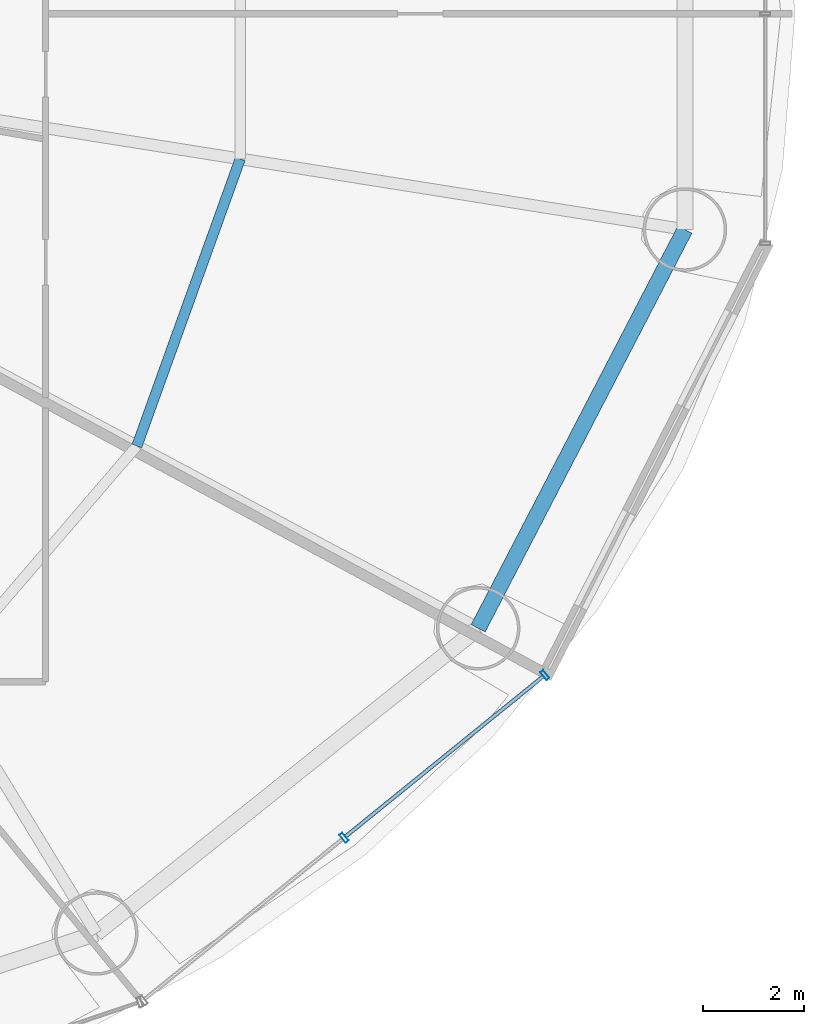
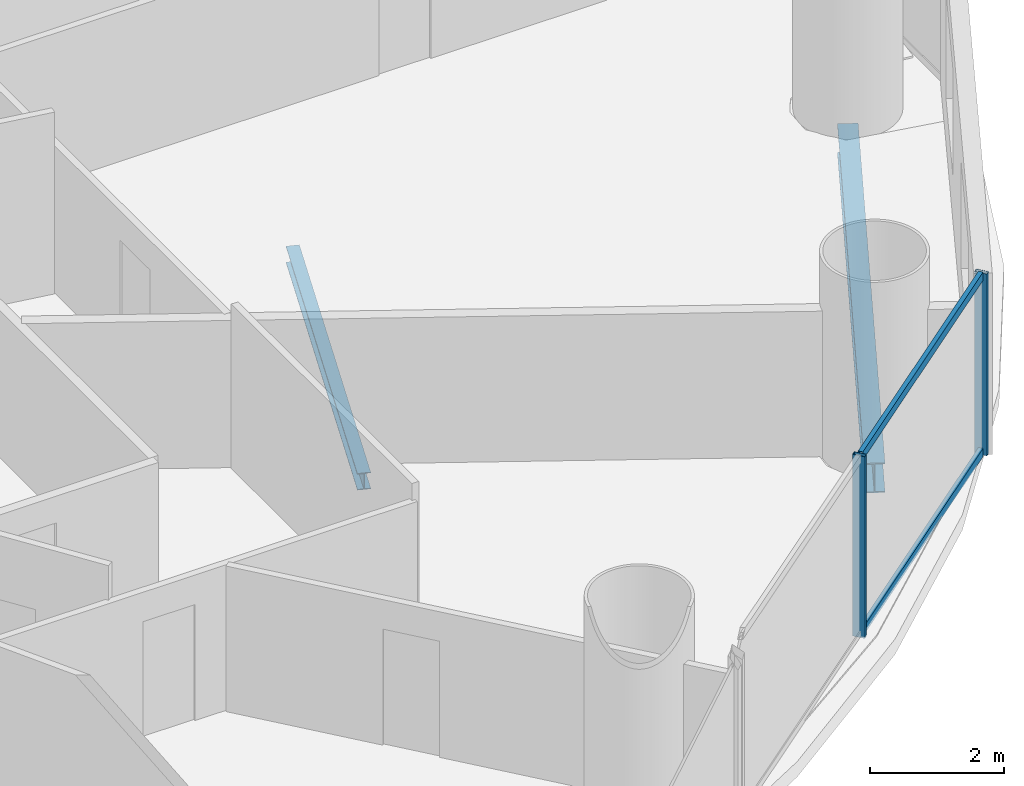
# One storey, part 12 of 29: 4 members, 2 beams, 1 element without a shape of its own.
"""IFC4 building model written with IfcOpenShell, lengths in metres."""

from ifc_helpers import new_model, si_unit, direction, frame, origin, origin_2d, place, context, subcontext, project, spatial, hollow_rectangle, i_section, extrude, source, transform, mapped, material, material_profile, profile_set, type_object, element, aggregate, save


model = new_model("IFC4")

# Units and contexts
model_context = context("Model", 3, precision=1e-05, world=origin(), true_north=direction((-0.2419218956, 0.970295726276)))
body_context = subcontext(model_context, "Body", "Model", "MODEL_VIEW")
ifc_project = project(units=[si_unit("LENGTHUNIT", "METRE"), si_unit("AREAUNIT", "SQUARE_METRE"), si_unit("VOLUMEUNIT", "CUBIC_METRE"), si_unit("PLANEANGLEUNIT", "RADIAN"), si_unit("MASSUNIT", "GRAM", prefix="KILO")], contexts=[model_context])

# Site, building, storey
site_placement = place(None, origin())
site = spatial("IfcSite", under=ifc_project, at=site_placement, CompositionType="ELEMENT")
building_placement = place(site_placement, origin())
building = spatial("IfcBuilding", under=site, at=building_placement, Name="Cobrevalo Terracotta Tower", CompositionType="ELEMENT")
storey_placement = place(building_placement, frame((0.0, 0.0, 49.199951171875)))
storey = spatial("IfcBuildingStorey", under=building, at=storey_placement, Name="L12", CompositionType="ELEMENT", Elevation=49.199951171875)

# Beams
ifc_material_1 = material(Name="Steel S355", Category="steel")
ifc_material_profile_1 = material_profile(ifc_material_1, i_section(OverallWidth=0.2041015625, OverallDepth=0.305908203125, WebThickness=0.008544921875, FlangeThickness=0.0146484375, at=origin_2d()), Name="W 310x67")
ifc_profile_set_1 = profile_set([ifc_material_profile_1], Name="Steel S355")
beam_type_1 = type_object("IfcBeamType", Name="Structural Joist W 310x67 (Steel S355)", PredefinedType="JOIST", material=ifc_profile_set_1)
beam_1_placement = place(storey_placement, frame((53.997802734375, 18.26025390625, -0.432861328125), z_axis=(0.338672151116, 0.940904444701, 0.0), x_axis=(-0.940904444701, 0.338672151116, 0.0)))
element("IfcBeam", 1, at=beam_1_placement, inside=storey, type_object=beam_type_1, Name="L12 circumferential secondary floor joist 15", PredefinedType="JOIST", context=body_context, shape_type="SweptSolid", body=[
    extrude(i_section(OverallWidth=0.2041015625, OverallDepth=0.305908203125, WebThickness=0.008544921875, FlangeThickness=0.0146484375, at=origin_2d()), origin(), (0.0, 0.0, 1.0), 6.029296875),
])
ifc_material_profile_2 = material_profile(ifc_material_1, i_section(OverallWidth=0.31201171875, OverallDepth=0.54296875, WebThickness=0.0126953125, FlangeThickness=0.020263671875, at=origin_2d()), Name="W 530x150")
ifc_profile_set_2 = profile_set([ifc_material_profile_2], Name="Steel S355")
beam_type_2 = type_object("IfcBeamType", Name="Structural Spandrel W 530x150 (Steel S355)", PredefinedType="SPANDREL", material=ifc_profile_set_2)
beam_2_placement = place(storey_placement, frame((60.74072265625, 14.660888671875, -0.551513671875), z_axis=(0.460285838799, 0.88777077368, 0.0), x_axis=(-0.88777077368, 0.460285838799, 0.0)))
element("IfcBeam", 2, at=beam_2_placement, inside=storey, type_object=beam_type_2, Name="L12 perimeter ring spandrel 15", PredefinedType="SPANDREL", context=body_context, shape_type="SweptSolid", body=[
    extrude(i_section(OverallWidth=0.31201171875, OverallDepth=0.54296875, WebThickness=0.0126953125, FlangeThickness=0.020263671875, at=origin_2d()), origin(), (0.0, 0.0, 1.0), 8.8720703125),
])

# Curtain wall, members
ifc_material_2 = material(Name="Anodized aluminium", Category="aluminium")
curtain_wall_type = type_object("IfcCurtainWallType", Name="Lower-tower unitised acoustic low-E curtain wall CW-U1", PredefinedType="NOTDEFINED", material=ifc_material_2)
curtain_wall_placement = place(storey_placement, origin())
curtain_wall = element("IfcCurtainWall", 3, at=curtain_wall_placement, inside=storey, type_object=curtain_wall_type, Name="L12 curtain wall CW-L12-S14", PredefinedType="NOTDEFINED")
ifc_material_profile_3 = material_profile(ifc_material_2, hollow_rectangle(XDim=0.074951171875, YDim=0.199951171875, WallThickness=0.0048828125, at=origin_2d()), Name="CWM 75x200")
ifc_profile_set_3 = profile_set([ifc_material_profile_3], Name="Anodized aluminium")
member_type_1 = type_object("IfcMemberType", Name="Lower/mid tower unitised mullion 75x200", PredefinedType="MULLION", material=ifc_profile_set_3)
shared_shape_1 = source(origin(), body_context, "Body", "SweptSolid", [
    extrude(hollow_rectangle(XDim=0.074951171875, YDim=0.199951171875, WallThickness=0.0048828125, at=origin_2d()), origin(), (0.0, 0.0, 1.0), 3.320068359375),
])
member_1_placement = place(storey_placement, frame((58.09130859375, 10.523193359375, 0.0), z_axis=(0.0, 0.0, 1.0), x_axis=(0.777003153187, 0.629496703675, 0.0)))
member_1 = element("IfcMember", 4, at=member_1_placement, type_object=member_type_1, Name="CW-L12-S14 vertical mullion 02", PredefinedType="MULLION", context=body_context, shape_type="MappedRepresentation", body=[
    mapped(shared_shape_1, transform((0.0, 0.0, 0.0), scale=1.0)),
])
member_2_placement = place(storey_placement, frame((62.056640625, 13.735595703125, 0.0), z_axis=(0.0, 0.0, 1.0), x_axis=(0.777003153187, 0.629496703675, 0.0)))
member_2 = element("IfcMember", 5, at=member_2_placement, type_object=member_type_1, Name="CW-L12-S14 vertical mullion 03", PredefinedType="MULLION", context=body_context, shape_type="MappedRepresentation", body=[
    mapped(shared_shape_1, transform((0.0, 0.0, 0.0), scale=1.0)),
])
ifc_material_profile_4 = material_profile(ifc_material_2, hollow_rectangle(XDim=0.074951171875, YDim=0.14990234375, WallThickness=0.00439453125, at=origin_2d()), Name="CWT 75x150")
ifc_profile_set_4 = profile_set([ifc_material_profile_4], Name="Anodized aluminium")
member_type_2 = type_object("IfcMemberType", Name="Tower unitised aluminium transom 75x150", PredefinedType="USERDEFINED", material=ifc_profile_set_4)
shared_shape_2 = source(origin(), body_context, "Body", "SweptSolid", [
    extrude(hollow_rectangle(XDim=0.074951171875, YDim=0.14990234375, WallThickness=0.00439453125, at=origin_2d()), origin(), (0.0, 0.0, 1.0), 5.0234375),
])
member_3_placement = place(storey_placement, frame((58.122314453125, 10.54833984375, 0.050048828125), z_axis=(0.777022991593, 0.629472215857, 0.0), x_axis=(-0.629472215857, 0.777022991593, 0.0)))
member_3 = element("IfcMember", 6, at=member_3_placement, type_object=member_type_2, Name="CW-L12-S14 transom B02-T1", ObjectType="TRANSOM", PredefinedType="USERDEFINED", context=body_context, shape_type="MappedRepresentation", body=[
    mapped(shared_shape_2, transform((0.0, 0.0, 0.0), scale=1.0)),
])
member_4_placement = place(storey_placement, frame((58.122314453125, 10.54833984375, 3.27001953125), z_axis=(0.777022991593, 0.629472215857, 0.0), x_axis=(-0.629472215857, 0.777022991593, 0.0)))
member_4 = element("IfcMember", 7, at=member_4_placement, type_object=member_type_2, Name="CW-L12-S14 transom B02-T2", ObjectType="TRANSOM", PredefinedType="USERDEFINED", context=body_context, shape_type="MappedRepresentation", body=[
    mapped(shared_shape_2, transform((0.0, 0.0, 0.0), scale=1.0)),
])
aggregate(curtain_wall, [member_1, member_2, member_3, member_4])

save(model, "model.ifc")
